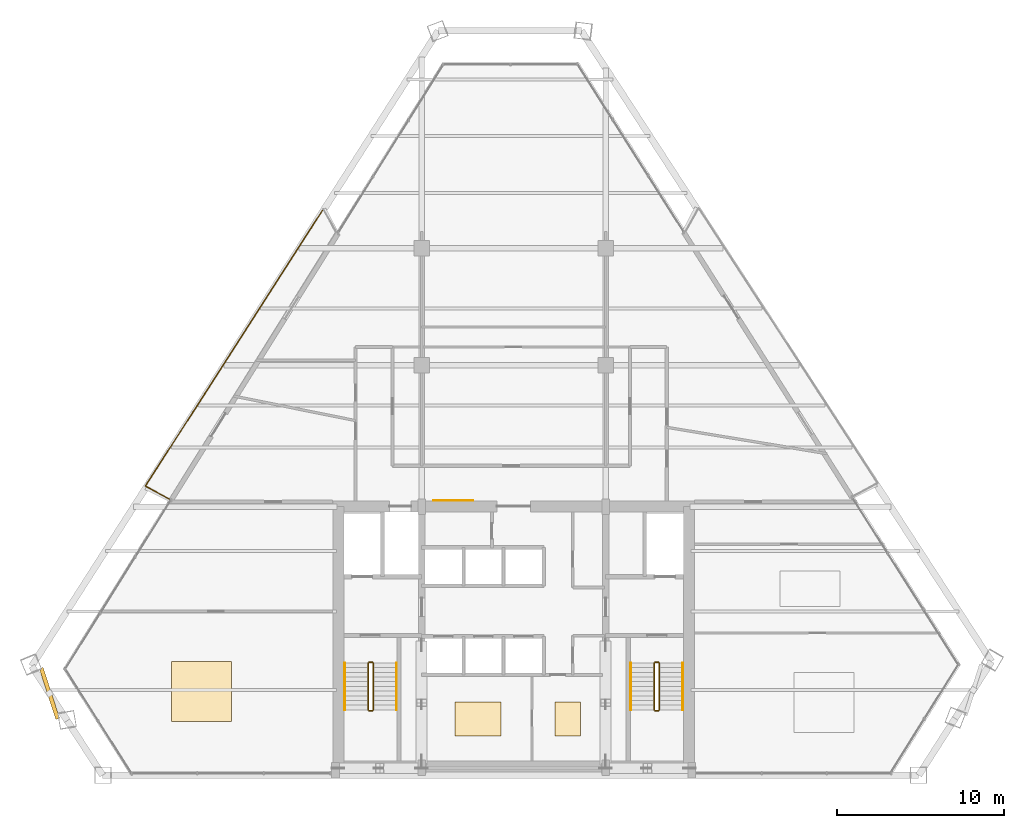
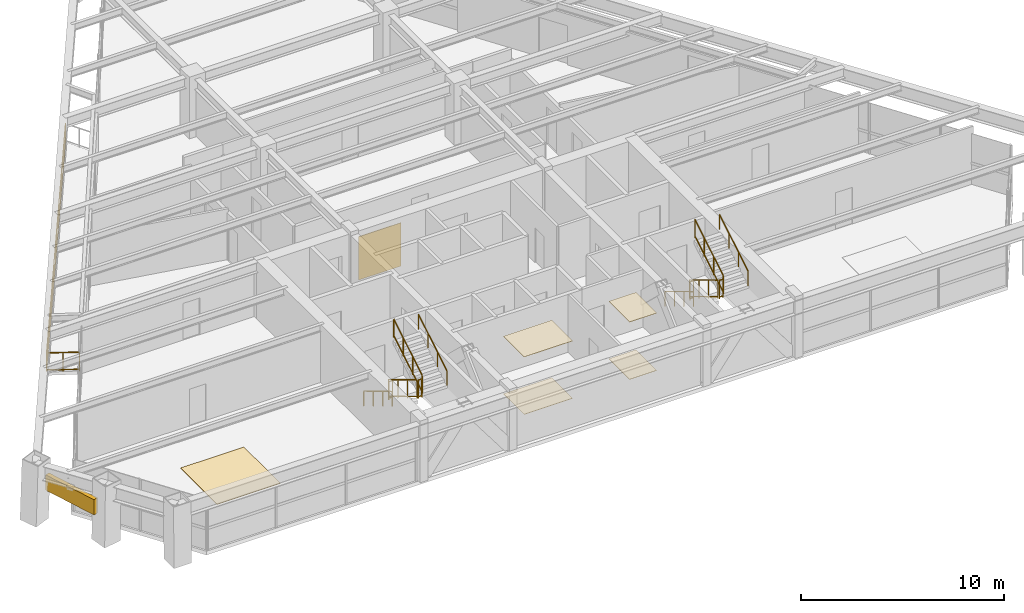
# One storey, part 14 of 15: 14 railings, 6 coverings, 1 shading device.
"""IFC4 building model written with IfcOpenShell, lengths in metres."""

from ifc_helpers import new_model, si_unit, direction, frame, origin, origin_2d, place, context, subcontext, project, spatial, rectangle, extrude, source, transform, mapped, material, layer, layer_set, type_object, type_shapes, element, save


model = new_model("IFC4")

# Units and contexts
model_context = context("Model", 3, precision=1e-05, world=origin(), true_north=direction((0.0, 1.0)))
body_context = subcontext(model_context, "Body", "Model", "MODEL_VIEW")
ifc_project = project(units=[si_unit("LENGTHUNIT", "METRE"), si_unit("AREAUNIT", "SQUARE_METRE"), si_unit("VOLUMEUNIT", "CUBIC_METRE"), si_unit("PLANEANGLEUNIT", "RADIAN"), si_unit("MASSUNIT", "GRAM", prefix="KILO")], contexts=[model_context])

# Site, building, storey
site_placement = place(None, origin())
site = spatial("IfcSite", under=ifc_project, at=site_placement, CompositionType="ELEMENT")
building_placement = place(site_placement, origin())
building = spatial("IfcBuilding", under=site, at=building_placement, Name="Varnakhor Terracotta Tower", CompositionType="ELEMENT")
storey_placement = place(building_placement, frame((0.0, 0.0, 178.39990234375)))
storey = spatial("IfcBuildingStorey", under=building, at=storey_placement, Name="L45", CompositionType="ELEMENT", Elevation=178.39990234375)

# Railings
ifc_material_1 = material(Name="Stainless Steel & Laminated Glass Guardrail", Category="steel")
railing_type_1 = type_object("IfcRailingType", Name="RLG-LOGGIA-GUARD-1150", PredefinedType="GUARDRAIL", material=ifc_material_1)
railing_1_placement = place(storey_placement, frame((-20.590087890625, 16.51220703125, 0.0)))
element("IfcRailing", 1, at=railing_1_placement, inside=storey, type_object=railing_type_1, Name="L45 W Loggia Glass Guard 1", PredefinedType="GUARDRAIL", context=body_context, shape_type="SweptSolid", body=[
    extrude(rectangle(XDim=0.048095703125, YDim=0.048095703125, at=origin_2d()), frame((0.0, 0.0, 1.1259765625), z_axis=(-0.879320910617, 0.476229709437, 0.0), x_axis=(-0.476229709437, -0.879320910617, 0.0)), (0.0, 0.0, 1.0), 1.618896484375),
    extrude(rectangle(XDim=0.048095703125, YDim=0.048095703125, at=origin_2d()), frame((0.0, 0.0, 0.10009765625), z_axis=(-0.879320910617, 0.476229709437, 0.0), x_axis=(-0.476229709437, -0.879320910617, 0.0)), (0.0, 0.0, 1.0), 1.618896484375),
    extrude(rectangle(XDim=0.0419921875, YDim=0.0419921875, at=origin_2d()), origin(), (0.0, 0.0, 1.0), 1.101806640625),
    extrude(rectangle(XDim=0.0419921875, YDim=0.0419921875, at=origin_2d()), frame((-0.7119140625, 0.385498046875, 0.0)), (0.0, 0.0, 1.0), 1.101806640625),
    extrude(rectangle(XDim=0.0419921875, YDim=0.0419921875, at=origin_2d()), frame((-1.423583984375, 0.77099609375, 0.0)), (0.0, 0.0, 1.0), 1.101806640625),
])
railing_2_placement = place(storey_placement, frame((-22.013671875, 17.283203125, 0.0)))
element("IfcRailing", 2, at=railing_2_placement, inside=storey, type_object=railing_type_1, Name="L45 W Loggia Glass Guard 2", PredefinedType="GUARDRAIL", context=body_context, shape_type="SweptSolid", body=[
    extrude(rectangle(XDim=0.048095703125, YDim=0.048095703125, at=origin_2d()), frame((0.0, 0.0, 1.1259765625), z_axis=(0.540397522936, 0.841409839023, 0.0), x_axis=(-0.841409839023, 0.540397522936, 0.0)), (0.0, 0.0, 1.0), 19.673095703125),
    extrude(rectangle(XDim=0.048095703125, YDim=0.048095703125, at=origin_2d()), frame((0.0, 0.0, 0.10009765625), z_axis=(0.540397522936, 0.841409839023, 0.0), x_axis=(-0.841409839023, 0.540397522936, 0.0)), (0.0, 0.0, 1.0), 19.673095703125),
    extrude(rectangle(XDim=0.0419921875, YDim=0.0419921875, at=origin_2d()), origin(), (0.0, 0.0, 1.0), 1.101806640625),
    extrude(rectangle(XDim=0.0419921875, YDim=0.0419921875, at=origin_2d()), frame((0.708740234375, 1.103515625, 0.0)), (0.0, 0.0, 1.0), 1.101806640625),
    extrude(rectangle(XDim=0.0419921875, YDim=0.0419921875, at=origin_2d()), frame((1.41748046875, 2.20703125, 0.0)), (0.0, 0.0, 1.0), 1.101806640625),
    extrude(rectangle(XDim=0.0419921875, YDim=0.0419921875, at=origin_2d()), frame((2.126220703125, 3.310546875, 0.0)), (0.0, 0.0, 1.0), 1.101806640625),
    extrude(rectangle(XDim=0.0419921875, YDim=0.0419921875, at=origin_2d()), frame((2.8349609375, 4.414306640625, 0.0)), (0.0, 0.0, 1.0), 1.101806640625),
    extrude(rectangle(XDim=0.0419921875, YDim=0.0419921875, at=origin_2d()), frame((3.543701171875, 5.517822265625, 0.0)), (0.0, 0.0, 1.0), 1.101806640625),
    extrude(rectangle(XDim=0.0419921875, YDim=0.0419921875, at=origin_2d()), frame((4.25244140625, 6.621337890625, 0.0)), (0.0, 0.0, 1.0), 1.101806640625),
    extrude(rectangle(XDim=0.0419921875, YDim=0.0419921875, at=origin_2d()), frame((4.961181640625, 7.724853515625, 0.0)), (0.0, 0.0, 1.0), 1.101806640625),
    extrude(rectangle(XDim=0.0419921875, YDim=0.0419921875, at=origin_2d()), frame((5.670166015625, 8.828369140625, 0.0)), (0.0, 0.0, 1.0), 1.101806640625),
    extrude(rectangle(XDim=0.0419921875, YDim=0.0419921875, at=origin_2d()), frame((6.37890625, 9.931884765625, 0.0)), (0.0, 0.0, 1.0), 1.101806640625),
    extrude(rectangle(XDim=0.0419921875, YDim=0.0419921875, at=origin_2d()), frame((7.087646484375, 11.035400390625, 0.0)), (0.0, 0.0, 1.0), 1.101806640625),
    extrude(rectangle(XDim=0.0419921875, YDim=0.0419921875, at=origin_2d()), frame((7.79638671875, 12.138916015625, 0.0)), (0.0, 0.0, 1.0), 1.101806640625),
    extrude(rectangle(XDim=0.0419921875, YDim=0.0419921875, at=origin_2d()), frame((8.505126953125, 13.24267578125, 0.0)), (0.0, 0.0, 1.0), 1.101806640625),
    extrude(rectangle(XDim=0.0419921875, YDim=0.0419921875, at=origin_2d()), frame((9.2138671875, 14.34619140625, 0.0)), (0.0, 0.0, 1.0), 1.101806640625),
    extrude(rectangle(XDim=0.0419921875, YDim=0.0419921875, at=origin_2d()), frame((9.922607421875, 15.44970703125, 0.0)), (0.0, 0.0, 1.0), 1.101806640625),
    extrude(rectangle(XDim=0.0419921875, YDim=0.0419921875, at=origin_2d()), frame((10.63134765625, 16.55322265625, 0.0)), (0.0, 0.0, 1.0), 1.101806640625),
])
ifc_material_2 = material(Name="Painted Steel Stairwell Guardrail", Category="steel")
railing_type_2 = type_object("IfcRailingType", Name="RLG-STAIR-GUARD-1120", PredefinedType="GUARDRAIL", material=ifc_material_2)
railing_3_placement = place(storey_placement, frame((-8.699951171875, 6.7099609375, 0.168212890625)))
element("IfcRailing", 3, at=railing_3_placement, inside=storey, type_object=railing_type_2, Name="L45 ST-1 stair guard 1", PredefinedType="GUARDRAIL", context=body_context, shape_type="SweptSolid", body=[
    extrude(rectangle(XDim=0.048095703125, YDim=0.048095703125, at=origin_2d()), frame((0.0, 0.0, 1.09619140625), z_axis=(0.0, -0.857242210791, 0.514913383045), x_axis=(1.0, 0.0, 0.0)), (0.0, 0.0, 1.0), 3.266357421875),
    extrude(rectangle(XDim=0.048095703125, YDim=0.048095703125, at=origin_2d()), frame((0.0, 0.0, 0.10009765625), z_axis=(0.0, -0.857242210791, 0.514913383045), x_axis=(1.0, 0.0, 0.0)), (0.0, 0.0, 1.0), 3.266357421875),
    extrude(rectangle(XDim=0.0419921875, YDim=0.0419921875, at=origin_2d()), origin(), (0.0, 0.0, 1.0), 1.072021484375),
    extrude(rectangle(XDim=0.0419921875, YDim=0.0419921875, at=origin_2d()), frame((0.0, -0.933349609375, 0.560546875)), (0.0, 0.0, 1.0), 1.072021484375),
    extrude(rectangle(XDim=0.0419921875, YDim=0.0419921875, at=origin_2d()), frame((0.0, -1.86669921875, 1.121337890625)), (0.0, 0.0, 1.0), 1.072021484375),
    extrude(rectangle(XDim=0.0419921875, YDim=0.0419921875, at=origin_2d()), frame((0.0, -2.800048828125, 1.681884765625)), (0.0, 0.0, 1.0), 1.072021484375),
])
railing_4_placement = place(storey_placement, frame((-8.64990234375, 3.860107421875, 1.85009765625)))
element("IfcRailing", 4, at=railing_4_placement, inside=storey, type_object=railing_type_2, Name="L45 ST-1 stair guard 2", PredefinedType="GUARDRAIL", context=body_context, shape_type="SweptSolid", body=[
    extrude(rectangle(XDim=0.048095703125, YDim=0.048095703125, at=origin_2d()), frame((0.0, 0.0, 1.09619140625), z_axis=(1.0, 0.0, 0.0), x_axis=(0.0, 1.0, 0.0)), (0.0, 0.0, 1.0), 0.199951171875),
    extrude(rectangle(XDim=0.048095703125, YDim=0.048095703125, at=origin_2d()), frame((0.0, 0.0, 0.10009765625), z_axis=(1.0, 0.0, 0.0), x_axis=(0.0, 1.0, 0.0)), (0.0, 0.0, 1.0), 0.199951171875),
    extrude(rectangle(XDim=0.0419921875, YDim=0.0419921875, at=origin_2d()), origin(), (0.0, 0.0, 1.0), 1.072021484375),
    extrude(rectangle(XDim=0.0419921875, YDim=0.0419921875, at=origin_2d()), frame((0.199951171875, 0.0, 0.0)), (0.0, 0.0, 1.0), 1.072021484375),
])
railing_5_placement = place(storey_placement, frame((-8.39990234375, 3.909912109375, 2.018310546875)))
element("IfcRailing", 5, at=railing_5_placement, inside=storey, type_object=railing_type_2, Name="L45 ST-1 stair guard 3", PredefinedType="GUARDRAIL", context=body_context, shape_type="SweptSolid", body=[
    extrude(rectangle(XDim=0.048095703125, YDim=0.048095703125, at=origin_2d()), frame((0.0, 0.0, 1.09619140625), z_axis=(0.0, 0.857242210791, 0.514913383045), x_axis=(-1.0, 0.0, 0.0)), (0.0, 0.0, 1.0), 3.266357421875),
    extrude(rectangle(XDim=0.048095703125, YDim=0.048095703125, at=origin_2d()), frame((0.0, 0.0, 0.10009765625), z_axis=(0.0, 0.857242210791, 0.514913383045), x_axis=(-1.0, 0.0, 0.0)), (0.0, 0.0, 1.0), 3.266357421875),
    extrude(rectangle(XDim=0.0419921875, YDim=0.0419921875, at=origin_2d()), origin(), (0.0, 0.0, 1.0), 1.072021484375),
    extrude(rectangle(XDim=0.0419921875, YDim=0.0419921875, at=origin_2d()), frame((0.0, 0.933349609375, 0.560546875)), (0.0, 0.0, 1.0), 1.072021484375),
    extrude(rectangle(XDim=0.0419921875, YDim=0.0419921875, at=origin_2d()), frame((0.0, 1.86669921875, 1.121337890625)), (0.0, 0.0, 1.0), 1.072021484375),
    extrude(rectangle(XDim=0.0419921875, YDim=0.0419921875, at=origin_2d()), frame((0.0, 2.800048828125, 1.681884765625)), (0.0, 0.0, 1.0), 1.072021484375),
])
railing_6_placement = place(storey_placement, frame((-8.64990234375, 6.760009765625, 0.0)))
element("IfcRailing", 6, at=railing_6_placement, inside=storey, type_object=railing_type_2, Name="L45 ST-1 stair guard 4", PredefinedType="GUARDRAIL", context=body_context, shape_type="SweptSolid", body=[
    extrude(rectangle(XDim=0.048095703125, YDim=0.048095703125, at=origin_2d()), frame((0.0, 0.0, 1.09619140625), z_axis=(1.0, 0.0, 0.0), x_axis=(0.0, 1.0, 0.0)), (0.0, 0.0, 1.0), 0.199951171875),
    extrude(rectangle(XDim=0.048095703125, YDim=0.048095703125, at=origin_2d()), frame((0.0, 0.0, 0.10009765625), z_axis=(1.0, 0.0, 0.0), x_axis=(0.0, 1.0, 0.0)), (0.0, 0.0, 1.0), 0.199951171875),
    extrude(rectangle(XDim=0.0419921875, YDim=0.0419921875, at=origin_2d()), origin(), (0.0, 0.0, 1.0), 1.072021484375),
    extrude(rectangle(XDim=0.0419921875, YDim=0.0419921875, at=origin_2d()), frame((0.199951171875, 0.0, 0.0)), (0.0, 0.0, 1.0), 1.072021484375),
])
railing_7_placement = place(storey_placement, frame((8.39990234375, 6.7099609375, 0.168212890625)))
element("IfcRailing", 7, at=railing_7_placement, inside=storey, type_object=railing_type_2, Name="L45 ST-2 stair guard 1", PredefinedType="GUARDRAIL", context=body_context, shape_type="SweptSolid", body=[
    extrude(rectangle(XDim=0.048095703125, YDim=0.048095703125, at=origin_2d()), frame((0.0, 0.0, 1.09619140625), z_axis=(0.0, -0.857242210791, 0.514913383045), x_axis=(1.0, 0.0, 0.0)), (0.0, 0.0, 1.0), 3.266357421875),
    extrude(rectangle(XDim=0.048095703125, YDim=0.048095703125, at=origin_2d()), frame((0.0, 0.0, 0.10009765625), z_axis=(0.0, -0.857242210791, 0.514913383045), x_axis=(1.0, 0.0, 0.0)), (0.0, 0.0, 1.0), 3.266357421875),
    extrude(rectangle(XDim=0.0419921875, YDim=0.0419921875, at=origin_2d()), origin(), (0.0, 0.0, 1.0), 1.072021484375),
    extrude(rectangle(XDim=0.0419921875, YDim=0.0419921875, at=origin_2d()), frame((0.0, -0.933349609375, 0.560546875)), (0.0, 0.0, 1.0), 1.072021484375),
    extrude(rectangle(XDim=0.0419921875, YDim=0.0419921875, at=origin_2d()), frame((0.0, -1.86669921875, 1.121337890625)), (0.0, 0.0, 1.0), 1.072021484375),
    extrude(rectangle(XDim=0.0419921875, YDim=0.0419921875, at=origin_2d()), frame((0.0, -2.800048828125, 1.681884765625)), (0.0, 0.0, 1.0), 1.072021484375),
])
railing_8_placement = place(storey_placement, frame((8.449951171875, 3.860107421875, 1.85009765625)))
element("IfcRailing", 8, at=railing_8_placement, inside=storey, type_object=railing_type_2, Name="L45 ST-2 stair guard 2", PredefinedType="GUARDRAIL", context=body_context, shape_type="SweptSolid", body=[
    extrude(rectangle(XDim=0.048095703125, YDim=0.048095703125, at=origin_2d()), frame((0.0, 0.0, 1.09619140625), z_axis=(1.0, 0.0, 0.0), x_axis=(0.0, 1.0, 0.0)), (0.0, 0.0, 1.0), 0.199951171875),
    extrude(rectangle(XDim=0.048095703125, YDim=0.048095703125, at=origin_2d()), frame((0.0, 0.0, 0.10009765625), z_axis=(1.0, 0.0, 0.0), x_axis=(0.0, 1.0, 0.0)), (0.0, 0.0, 1.0), 0.199951171875),
    extrude(rectangle(XDim=0.0419921875, YDim=0.0419921875, at=origin_2d()), origin(), (0.0, 0.0, 1.0), 1.072021484375),
    extrude(rectangle(XDim=0.0419921875, YDim=0.0419921875, at=origin_2d()), frame((0.199951171875, 0.0, 0.0)), (0.0, 0.0, 1.0), 1.072021484375),
])
railing_9_placement = place(storey_placement, frame((8.699951171875, 3.909912109375, 2.018310546875)))
element("IfcRailing", 9, at=railing_9_placement, inside=storey, type_object=railing_type_2, Name="L45 ST-2 stair guard 3", PredefinedType="GUARDRAIL", context=body_context, shape_type="SweptSolid", body=[
    extrude(rectangle(XDim=0.048095703125, YDim=0.048095703125, at=origin_2d()), frame((0.0, 0.0, 1.09619140625), z_axis=(0.0, 0.857242210791, 0.514913383045), x_axis=(-1.0, 0.0, 0.0)), (0.0, 0.0, 1.0), 3.266357421875),
    extrude(rectangle(XDim=0.048095703125, YDim=0.048095703125, at=origin_2d()), frame((0.0, 0.0, 0.10009765625), z_axis=(0.0, 0.857242210791, 0.514913383045), x_axis=(-1.0, 0.0, 0.0)), (0.0, 0.0, 1.0), 3.266357421875),
    extrude(rectangle(XDim=0.0419921875, YDim=0.0419921875, at=origin_2d()), origin(), (0.0, 0.0, 1.0), 1.072021484375),
    extrude(rectangle(XDim=0.0419921875, YDim=0.0419921875, at=origin_2d()), frame((0.0, 0.933349609375, 0.560546875)), (0.0, 0.0, 1.0), 1.072021484375),
    extrude(rectangle(XDim=0.0419921875, YDim=0.0419921875, at=origin_2d()), frame((0.0, 1.86669921875, 1.121337890625)), (0.0, 0.0, 1.0), 1.072021484375),
    extrude(rectangle(XDim=0.0419921875, YDim=0.0419921875, at=origin_2d()), frame((0.0, 2.800048828125, 1.681884765625)), (0.0, 0.0, 1.0), 1.072021484375),
])
railing_10_placement = place(storey_placement, frame((8.449951171875, 6.760009765625, 0.0)))
element("IfcRailing", 10, at=railing_10_placement, inside=storey, type_object=railing_type_2, Name="L45 ST-2 stair guard 4", PredefinedType="GUARDRAIL", context=body_context, shape_type="SweptSolid", body=[
    extrude(rectangle(XDim=0.048095703125, YDim=0.048095703125, at=origin_2d()), frame((0.0, 0.0, 1.09619140625), z_axis=(1.0, 0.0, 0.0), x_axis=(0.0, 1.0, 0.0)), (0.0, 0.0, 1.0), 0.199951171875),
    extrude(rectangle(XDim=0.048095703125, YDim=0.048095703125, at=origin_2d()), frame((0.0, 0.0, 0.10009765625), z_axis=(1.0, 0.0, 0.0), x_axis=(0.0, 1.0, 0.0)), (0.0, 0.0, 1.0), 0.199951171875),
    extrude(rectangle(XDim=0.0419921875, YDim=0.0419921875, at=origin_2d()), origin(), (0.0, 0.0, 1.0), 1.072021484375),
    extrude(rectangle(XDim=0.0419921875, YDim=0.0419921875, at=origin_2d()), frame((0.199951171875, 0.0, 0.0)), (0.0, 0.0, 1.0), 1.072021484375),
])
ifc_material_3 = material(Name="Brushed Stainless Steel Handrail", Category="steel")
railing_type_3 = type_object("IfcRailingType", Name="RLG-STAIR-HANDRAIL-920", PredefinedType="HANDRAIL", material=ifc_material_3)
railing_11_placement = place(storey_placement, frame((-10.10009765625, 6.7099609375, 0.168212890625)))
element("IfcRailing", 11, at=railing_11_placement, inside=storey, type_object=railing_type_3, Name="L45 ST-1 stair handrail 1", PredefinedType="HANDRAIL", context=body_context, shape_type="SweptSolid", body=[
    extrude(rectangle(XDim=0.048095703125, YDim=0.048095703125, at=origin_2d()), frame((0.0, 0.0, 0.89599609375), z_axis=(0.0, -0.857242210791, 0.514913383045), x_axis=(1.0, 0.0, 0.0)), (0.0, 0.0, 1.0), 3.266357421875),
    extrude(rectangle(XDim=0.0419921875, YDim=0.0419921875, at=origin_2d()), origin(), (0.0, 0.0, 1.0), 0.871826171875),
    extrude(rectangle(XDim=0.0419921875, YDim=0.0419921875, at=origin_2d()), frame((0.0, -0.933349609375, 0.560546875)), (0.0, 0.0, 1.0), 0.871826171875),
    extrude(rectangle(XDim=0.0419921875, YDim=0.0419921875, at=origin_2d()), frame((0.0, -1.86669921875, 1.121337890625)), (0.0, 0.0, 1.0), 0.871826171875),
    extrude(rectangle(XDim=0.0419921875, YDim=0.0419921875, at=origin_2d()), frame((0.0, -2.800048828125, 1.681884765625)), (0.0, 0.0, 1.0), 0.871826171875),
])
railing_12_placement = place(storey_placement, frame((-7.0, 3.909912109375, 2.018310546875)))
element("IfcRailing", 12, at=railing_12_placement, inside=storey, type_object=railing_type_3, Name="L45 ST-1 stair handrail 2", PredefinedType="HANDRAIL", context=body_context, shape_type="SweptSolid", body=[
    extrude(rectangle(XDim=0.048095703125, YDim=0.048095703125, at=origin_2d()), frame((0.0, 0.0, 0.89599609375), z_axis=(0.0, 0.857242210791, 0.514913383045), x_axis=(-1.0, 0.0, 0.0)), (0.0, 0.0, 1.0), 3.266357421875),
    extrude(rectangle(XDim=0.0419921875, YDim=0.0419921875, at=origin_2d()), origin(), (0.0, 0.0, 1.0), 0.871826171875),
    extrude(rectangle(XDim=0.0419921875, YDim=0.0419921875, at=origin_2d()), frame((0.0, 0.933349609375, 0.560546875)), (0.0, 0.0, 1.0), 0.871826171875),
    extrude(rectangle(XDim=0.0419921875, YDim=0.0419921875, at=origin_2d()), frame((0.0, 1.86669921875, 1.121337890625)), (0.0, 0.0, 1.0), 0.871826171875),
    extrude(rectangle(XDim=0.0419921875, YDim=0.0419921875, at=origin_2d()), frame((0.0, 2.800048828125, 1.681884765625)), (0.0, 0.0, 1.0), 0.871826171875),
])
railing_13_placement = place(storey_placement, frame((7.0, 6.7099609375, 0.168212890625)))
element("IfcRailing", 13, at=railing_13_placement, inside=storey, type_object=railing_type_3, Name="L45 ST-2 stair handrail 1", PredefinedType="HANDRAIL", context=body_context, shape_type="SweptSolid", body=[
    extrude(rectangle(XDim=0.048095703125, YDim=0.048095703125, at=origin_2d()), frame((0.0, 0.0, 0.89599609375), z_axis=(0.0, -0.857242210791, 0.514913383045), x_axis=(1.0, 0.0, 0.0)), (0.0, 0.0, 1.0), 3.266357421875),
    extrude(rectangle(XDim=0.0419921875, YDim=0.0419921875, at=origin_2d()), origin(), (0.0, 0.0, 1.0), 0.871826171875),
    extrude(rectangle(XDim=0.0419921875, YDim=0.0419921875, at=origin_2d()), frame((0.0, -0.933349609375, 0.560546875)), (0.0, 0.0, 1.0), 0.871826171875),
    extrude(rectangle(XDim=0.0419921875, YDim=0.0419921875, at=origin_2d()), frame((0.0, -1.86669921875, 1.121337890625)), (0.0, 0.0, 1.0), 0.871826171875),
    extrude(rectangle(XDim=0.0419921875, YDim=0.0419921875, at=origin_2d()), frame((0.0, -2.800048828125, 1.681884765625)), (0.0, 0.0, 1.0), 0.871826171875),
])
railing_14_placement = place(storey_placement, frame((10.10009765625, 3.909912109375, 2.018310546875)))
element("IfcRailing", 14, at=railing_14_placement, inside=storey, type_object=railing_type_3, Name="L45 ST-2 stair handrail 2", PredefinedType="HANDRAIL", context=body_context, shape_type="SweptSolid", body=[
    extrude(rectangle(XDim=0.048095703125, YDim=0.048095703125, at=origin_2d()), frame((0.0, 0.0, 0.89599609375), z_axis=(0.0, 0.857242210791, 0.514913383045), x_axis=(-1.0, 0.0, 0.0)), (0.0, 0.0, 1.0), 3.266357421875),
    extrude(rectangle(XDim=0.0419921875, YDim=0.0419921875, at=origin_2d()), origin(), (0.0, 0.0, 1.0), 0.871826171875),
    extrude(rectangle(XDim=0.0419921875, YDim=0.0419921875, at=origin_2d()), frame((0.0, 0.933349609375, 0.560546875)), (0.0, 0.0, 1.0), 0.871826171875),
    extrude(rectangle(XDim=0.0419921875, YDim=0.0419921875, at=origin_2d()), frame((0.0, 1.86669921875, 1.121337890625)), (0.0, 0.0, 1.0), 0.871826171875),
    extrude(rectangle(XDim=0.0419921875, YDim=0.0419921875, at=origin_2d()), frame((0.0, 2.800048828125, 1.681884765625)), (0.0, 0.0, 1.0), 0.871826171875),
])

# Shading device
ifc_material_4 = material(Name="Extruded Architectural Terracotta Screen", Category="masonry")
shading_device_type = type_object("IfcShadingDeviceType", Name="TERRACOTTA SOLAR SCREEN W", PredefinedType="USERDEFINED", material=ifc_material_4)
shared_shape_1 = source(origin(), body_context, "Body", "SweptSolid", [
    extrude(rectangle(XDim=3.199951171875, YDim=0.239990234375, at=origin_2d()), origin(), (0.0, 0.0, 1.0), 0.919921875),
])
type_shapes(shading_device_type, [shared_shape_1])
shading_device_placement = place(storey_placement, frame((-27.748779296875, 4.89208984375, 1.710205078125), z_axis=(0.0, 0.0, 1.0), x_axis=(0.309581308231, -0.950872974479, 0.0)))
element("IfcShadingDevice", 15, at=shading_device_placement, inside=storey, type_object=shading_device_type, Name="L45 W Terracotta Solar Screen", ObjectType="SCREEN", PredefinedType="USERDEFINED", context=body_context, shape_type="MappedRepresentation", body=[
    mapped(shared_shape_1, transform((0.0, 0.0, 0.0), scale=1.0)),
])

# Coverings
ifc_material_5 = material(Name="Extruded Architectural Terracotta Cladding", Category="masonry")
ifc_layer_1 = layer(ifc_material_5, 0.044921875, Name="Extruded Architectural Terracotta Cladding")
ifc_layer_set_1 = layer_set([ifc_layer_1], Name="Extruded Architectural Terracotta Cladding")
covering_type_1 = type_object("IfcCoveringType", Name="COV-CLAD-TERRACOTTA", PredefinedType="CLADDING", material=ifc_layer_set_1)
shared_shape_2 = source(origin(), body_context, "Body", "SweptSolid", [
    extrude(rectangle(XDim=2.39990234375, YDim=0.030029296875, at=origin_2d()), origin(), (0.0, 0.0, 1.0), 2.60009765625),
])
type_shapes(covering_type_1, [shared_shape_2])
covering_1_placement = place(storey_placement, frame((-3.60009765625, 16.412109375, 0.0), z_axis=(0.0, 0.0, 1.0), x_axis=(1.0, 0.0, 0.0)))
element("IfcCovering", 16, at=covering_1_placement, inside=storey, type_object=covering_type_1, Name="L45 Core Lobby Limestone Cladding", PredefinedType="CLADDING", context=body_context, shape_type="MappedRepresentation", body=[
    mapped(shared_shape_2, transform((0.0, 0.0, 0.0), scale=1.0)),
])
ifc_material_6 = material(Name="Honed Riyadh Limestone Flooring", Category="masonry")
ifc_layer_2 = layer(ifc_material_6, 0.030029296875, Name="Honed Riyadh Limestone Flooring")
ifc_layer_set_2 = layer_set([ifc_layer_2], Name="Honed Riyadh Limestone Flooring")
covering_type_2 = type_object("IfcCoveringType", Name="COV-FLOOR-LIMESTONE", PredefinedType="FLOORING", material=ifc_layer_set_2)
shared_shape_3 = source(origin(), body_context, "Body", "SweptSolid", [
    extrude(rectangle(XDim=3.60009765625, YDim=3.60009765625, at=origin_2d()), origin(), (0.0, 0.0, 1.0), 0.02001953125),
])
covering_2_placement = place(storey_placement, frame((-18.656005859375, 5.001953125, 0.0), z_axis=(0.0, 0.0, 1.0), x_axis=(1.0, 0.0, 0.0)))
element("IfcCovering", 17, at=covering_2_placement, inside=storey, type_object=covering_type_2, Name="L45 Honed Stone Flooring 4", PredefinedType="FLOORING", context=body_context, shape_type="MappedRepresentation", body=[
    mapped(shared_shape_3, transform((0.0, 0.0, 0.0), scale=1.0)),
])
shared_shape_4 = source(origin(), body_context, "Body", "SweptSolid", [
    extrude(rectangle(XDim=2.75, YDim=2.041015625, at=origin_2d()), origin(), (0.0, 0.0, 1.0), 0.02001953125),
])
covering_3_placement = place(storey_placement, frame((-2.139892578125, 3.35498046875, 0.0), z_axis=(0.0, 0.0, 1.0), x_axis=(1.0, 0.0, 0.0)))
element("IfcCovering", 18, at=covering_3_placement, inside=storey, type_object=covering_type_2, Name="L45 Honed Stone Flooring 1", PredefinedType="FLOORING", context=body_context, shape_type="MappedRepresentation", body=[
    mapped(shared_shape_4, transform((0.0, 0.0, 0.0), scale=1.0)),
])
ifc_material_7 = material(Name="Perforated Acoustic Mineral-Fibre Ceiling", Category="gypsum")
ifc_layer_3 = layer(ifc_material_7, 0.02490234375, Name="Perforated Acoustic Mineral-Fibre Ceiling")
ifc_layer_set_3 = layer_set([ifc_layer_3], Name="Perforated Acoustic Mineral-Fibre Ceiling")
covering_type_3 = type_object("IfcCoveringType", Name="COV-CEILING-ACOUSTIC", PredefinedType="CEILING", material=ifc_layer_set_3)
shared_shape_5 = source(origin(), body_context, "Body", "SweptSolid", [
    extrude(rectangle(XDim=2.75, YDim=2.041015625, at=origin_2d()), origin(), (0.0, 0.0, 1.0), 0.02392578125),
])
covering_4_placement = place(storey_placement, frame((-2.139892578125, 3.35498046875, 3.446044921875), z_axis=(0.0, 0.0, 1.0), x_axis=(1.0, 0.0, 0.0)))
element("IfcCovering", 19, at=covering_4_placement, inside=storey, type_object=covering_type_3, Name="L45 Acoustic Ceiling Panel 1", PredefinedType="CEILING", context=body_context, shape_type="MappedRepresentation", body=[
    mapped(shared_shape_5, transform((0.0, 0.0, 0.0), scale=1.0)),
])
shared_shape_6 = source(origin(), body_context, "Body", "SweptSolid", [
    extrude(rectangle(XDim=1.5400390625, YDim=2.041015625, at=origin_2d()), origin(), (0.0, 0.0, 1.0), 0.02001953125),
])
covering_5_placement = place(storey_placement, frame((3.239990234375, 3.35498046875, 0.0), z_axis=(0.0, 0.0, 1.0), x_axis=(1.0, 0.0, 0.0)))
element("IfcCovering", 20, at=covering_5_placement, inside=storey, type_object=covering_type_2, Name="L45 Honed Stone Flooring 2", PredefinedType="FLOORING", context=body_context, shape_type="MappedRepresentation", body=[
    mapped(shared_shape_6, transform((0.0, 0.0, 0.0), scale=1.0)),
])
shared_shape_7 = source(origin(), body_context, "Body", "SweptSolid", [
    extrude(rectangle(XDim=1.5400390625, YDim=2.041015625, at=origin_2d()), origin(), (0.0, 0.0, 1.0), 0.02392578125),
])
covering_6_placement = place(storey_placement, frame((3.239990234375, 3.35498046875, 3.446044921875), z_axis=(0.0, 0.0, 1.0), x_axis=(1.0, 0.0, 0.0)))
element("IfcCovering", 21, at=covering_6_placement, inside=storey, type_object=covering_type_3, Name="L45 Acoustic Ceiling Panel 2", PredefinedType="CEILING", context=body_context, shape_type="MappedRepresentation", body=[
    mapped(shared_shape_7, transform((0.0, 0.0, 0.0), scale=1.0)),
])

save(model, "model.ifc")
